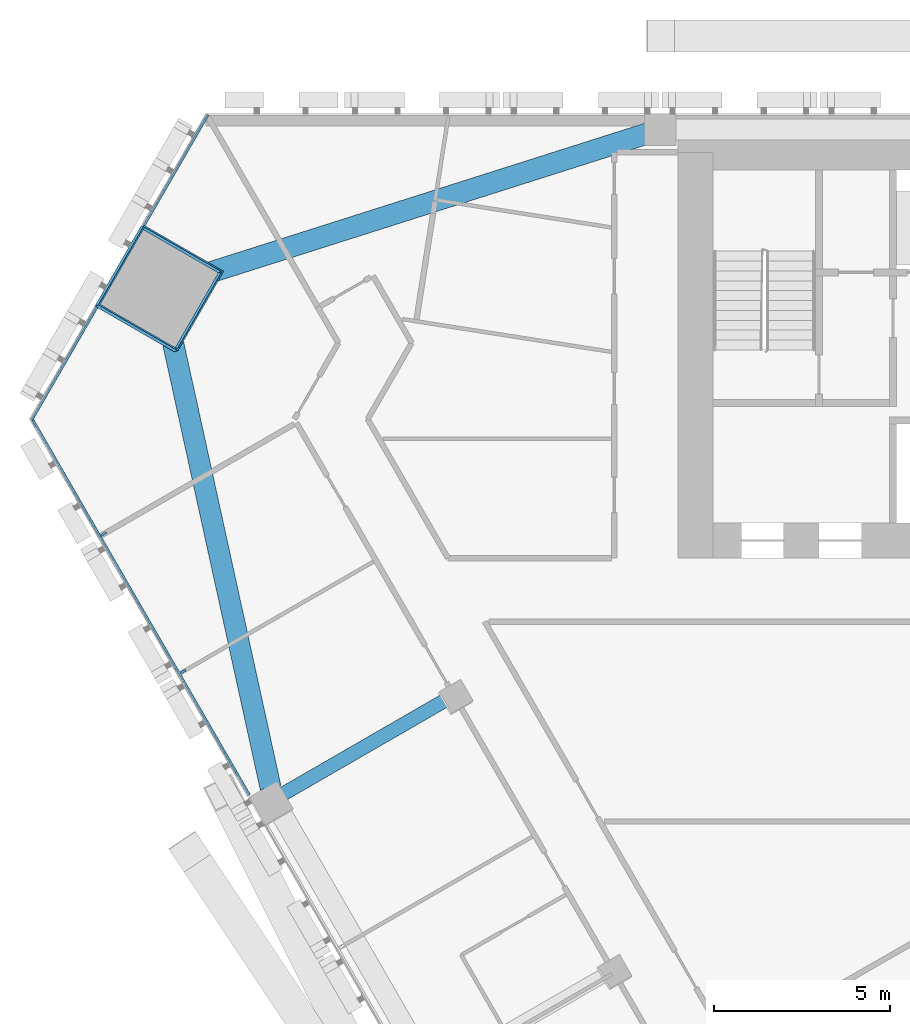
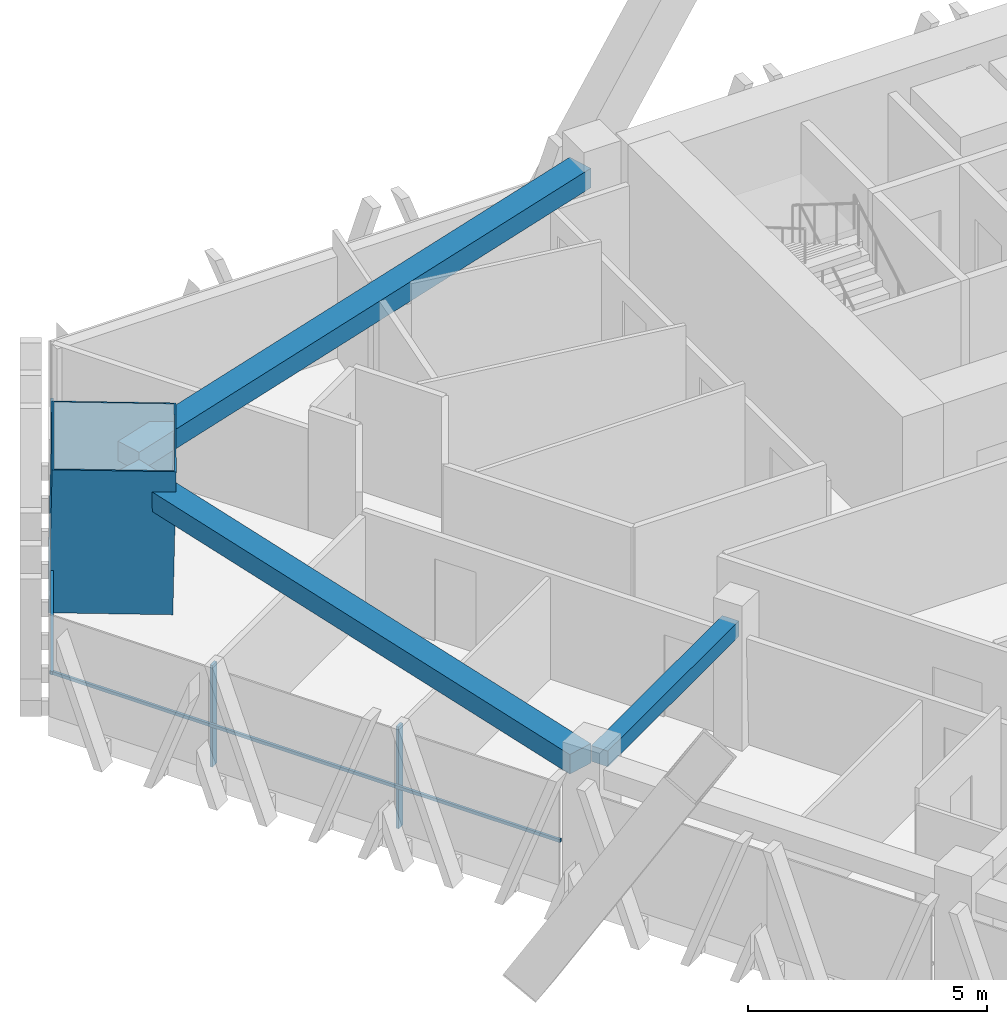
# One storey, part 12 of 24: 6 members, 3 beams, 2 elements without a shape of their own.
"""IFC4 building model written with IfcOpenShell, lengths in metres."""

import ifcopenshell
import ifcopenshell.guid

model = None  # the IFC model being written
_history = None  # IfcOwnerHistory: only IFC2X3 demands one
_inside = {}  # id of a spatial element -> (the spatial element, [elements in it])
_under = {}  # id of a project, library or spatial element -> (it, [spatial elements below it])
_declared = {}  # id of a project -> (the project, [libraries it declares])
_typed = {}  # id of a type object -> (the type object, [elements of that type])
_made_of = {}  # id of a material, layer set ... -> (it, [elements and type objects made of it])


def new_model(schema):
    """Start an empty IFC model of exactly this schema.

    Asked for "IFC4X3", IfcOpenShell would pick the latest addendum, in which some entities
    have other attributes; the version numbers below select the first issue.
    IFC2X3 requires an IfcOwnerHistory on every rooted entity: one is made here for all.
    """
    global model, _history
    if schema == "IFC4X3":
        model = ifcopenshell.file(schema_version=(4, 3, 0, 0))
    else:
        model = ifcopenshell.file(schema=schema)
    _inside.clear()
    _under.clear()
    _declared.clear()
    _typed.clear()
    _made_of.clear()
    _history = None
    if model.schema == "IFC2X3":
        org = make("IfcOrganization", Name="unknown")
        user = make(
            "IfcPersonAndOrganization",
            ThePerson=make("IfcPerson", FamilyName="unknown"),
            TheOrganization=org,
        )
        app = make(
            "IfcApplication",
            ApplicationDeveloper=org,
            Version="unknown",
            ApplicationFullName="unknown",
            ApplicationIdentifier="unknown",
        )
        _history = make(
            "IfcOwnerHistory",
            OwningUser=user,
            OwningApplication=app,
            ChangeAction="ADDED",
            CreationDate=0,
        )
    return model


def make(cls, **values):
    """One entity of the class cls with the attributes given. An attribute that is None is left unset."""
    return model.create_entity(
        cls, **{name: value for name, value in values.items() if value is not None}
    )


def rooted(cls, **values):
    """An entity with a GlobalId (a new one), such as an element, a storey or a relation."""
    return make(cls, GlobalId=ifcopenshell.guid.new(), OwnerHistory=_history, **values)


def si_unit(unit_type, name, prefix=None):
    """IfcSIUnit, for example si_unit("LENGTHUNIT", "METRE", prefix="MILLI")."""
    return make("IfcSIUnit", UnitType=unit_type, Prefix=prefix, Name=name)


def assignment(units):
    """IfcUnitAssignment: the units of a project."""
    return None if units is None else make("IfcUnitAssignment", Units=units)


def point(xyz):
    """IfcCartesianPoint."""
    return None if xyz is None else make("IfcCartesianPoint", Coordinates=xyz)


def direction(xyz):
    """IfcDirection."""
    return None if xyz is None else make("IfcDirection", DirectionRatios=xyz)


def frame(location, z_axis=None, x_axis=None):
    """IfcAxis2Placement3D, a coordinate frame: its origin and axes. An axis left out is left unset."""
    return make(
        "IfcAxis2Placement3D",
        Location=point(location),
        Axis=direction(z_axis),
        RefDirection=direction(x_axis),
    )


def frame_2d(location, x_axis=None):
    """IfcAxis2Placement2D, a coordinate frame in the plane: its origin and x axis."""
    return make(
        "IfcAxis2Placement2D", Location=point(location), RefDirection=direction(x_axis)
    )


def origin():
    """The frame at (0, 0, 0) with its axes left unset."""
    return frame((0.0, 0.0, 0.0))


def origin_2d():
    """The frame at (0, 0) in the plane with its x axis left unset."""
    return frame_2d((0.0, 0.0))


def place(relative_to, where):
    """IfcLocalPlacement: puts the frame where relative to a parent placement (None: the world)."""
    return make(
        "IfcLocalPlacement", PlacementRelTo=relative_to, RelativePlacement=where
    )


def context(
    kind, dimensions, precision=None, world=None, true_north=None, identifier=None
):
    """IfcGeometricRepresentationContext, for example the 3D "Model" context."""
    return make(
        "IfcGeometricRepresentationContext",
        ContextIdentifier=identifier,
        ContextType=kind,
        CoordinateSpaceDimension=dimensions,
        Precision=precision,
        WorldCoordinateSystem=world,
        TrueNorth=true_north,
    )


def subcontext(parent, identifier, kind, view, scale=None):
    """IfcGeometricRepresentationSubContext, for example "Body" below "Model"."""
    return make(
        "IfcGeometricRepresentationSubContext",
        ContextIdentifier=identifier,
        ContextType=kind,
        ParentContext=parent,
        TargetScale=scale,
        TargetView=view,
    )


def project(units=None, contexts=None):
    """IfcProject with its units and contexts."""
    return rooted(
        "IfcProject",
        Name="project",
        RepresentationContexts=contexts,
        UnitsInContext=assignment(units),
    )


def spatial(cls, under=None, at=None, **own):
    """A site, building, storey or space (cls), placed at a placement, below another one or the project."""
    s = rooted(cls, ObjectPlacement=at, **own)
    if under is not None:
        _under.setdefault(under.id(), (under, []))[1].append(s)
    return s


def profile(cls, at=None, kind="AREA", **sizes):
    """A parametric profile (cls). Its sizes go by their IFC names, for example OverallWidth=200.0."""
    return make(cls, ProfileType=kind, Position=at, **sizes)


def rectangle(**sizes):
    """IfcRectangleProfileDef."""
    return profile("IfcRectangleProfileDef", **sizes)


def hollow_rectangle(**sizes):
    """IfcRectangleHollowProfileDef."""
    return profile("IfcRectangleHollowProfileDef", **sizes)


def extrude(swept, where, along, depth):
    """IfcExtrudedAreaSolid: the profile swept, set in the frame where, extruded along a direction by depth."""
    return make(
        "IfcExtrudedAreaSolid",
        SweptArea=swept,
        Position=where,
        ExtrudedDirection=direction(along),
        Depth=depth,
    )


def shape(context_of_items, identifier, shape_type, items):
    """IfcShapeRepresentation: the items that make up one representation, for example the "Body"."""
    return make(
        "IfcShapeRepresentation",
        ContextOfItems=context_of_items,
        RepresentationIdentifier=identifier,
        RepresentationType=shape_type,
        Items=items,
    )


def material(Name=None, Category=None):
    """IfcMaterial."""
    return make("IfcMaterial", Name=Name, Category=Category)


def layer(
    of_material, thickness, ventilated=None, Name=None, Category=None, Priority=None
):
    """IfcMaterialLayer: one layer of a wall or slab, of a material (None: an air gap)."""
    return make(
        "IfcMaterialLayer",
        Material=of_material,
        LayerThickness=thickness,
        IsVentilated=ventilated,
        Name=Name,
        Category=Category,
        Priority=Priority,
    )


def layer_set(layers, Name=None):
    """IfcMaterialLayerSet."""
    return make("IfcMaterialLayerSet", MaterialLayers=layers, LayerSetName=Name)


def material_profile(
    of_material, cross_section, Name=None, Category=None, Priority=None
):
    """IfcMaterialProfile: a cross section and its material."""
    return make(
        "IfcMaterialProfile",
        Name=Name,
        Material=of_material,
        Profile=cross_section,
        Priority=Priority,
        Category=Category,
    )


def profile_set(profiles, Name=None, composite=None):
    """IfcMaterialProfileSet."""
    return make(
        "IfcMaterialProfileSet",
        Name=Name,
        MaterialProfiles=profiles,
        CompositeProfile=composite,
    )


def made_of(thing, what):
    """Note that an element or type object is made of a material, layer set ...; save() writes the relation."""
    if what is not None:
        _made_of.setdefault(what.id(), (what, []))[1].append(thing)
    return thing


def type_object(cls, material=None, **own):
    """A type object (cls), such as IfcWallType, which elements share."""
    return made_of(rooted(cls, **own), material)


def element(
    cls,
    number,
    at=None,
    inside=None,
    cuts=None,
    type_object=None,
    material=None,
    context=None,
    identifier="Body",
    shape_type=None,
    held_by="IfcProductDefinitionShape",
    body=None,
    shapes=None,
    **own,
):
    """One element of the class cls, such as IfcWall. Its Tag is "e" and its number.

    at: its placement. inside: the storey or other place that contains it. cuts: it is an
    opening in that element (IfcRelVoidsElement). A single representation is given by context,
    identifier, shape_type and body (its items); several are given by shapes. held_by: the class
    of the entity that holds the representations. save() writes the other relations.
    """
    e = rooted(cls, Tag="e%d" % number, ObjectPlacement=at, **own)
    if body is not None:
        shapes = [shape(context, identifier, shape_type, body)]
    if shapes is not None:
        e.Representation = make(held_by, Representations=shapes)
    if inside is not None:
        _inside.setdefault(inside.id(), (inside, []))[1].append(e)
    if cuts is not None:
        rooted(
            "IfcRelVoidsElement", RelatingBuildingElement=cuts, RelatedOpeningElement=e
        )
    if type_object is not None:
        _typed.setdefault(type_object.id(), (type_object, []))[1].append(e)
    return made_of(e, material)


def aggregate(whole, parts):
    """IfcRelAggregates: a whole, such as a stair, and the parts it consists of."""
    return rooted("IfcRelAggregates", RelatingObject=whole, RelatedObjects=parts)


def save(model, path):
    """Write the relations noted so far, then the file.

    IfcRelAggregates (storeys below a building ...), IfcRelContainedInSpatialStructure (elements
    in a storey), IfcRelDefinesByType, IfcRelAssociatesMaterial and IfcRelDeclares: one each for
    every whole, place, type object, material and project.
    """
    for whole, parts in _under.values():
        aggregate(whole, parts)
    for where, things in _inside.values():
        rooted(
            "IfcRelContainedInSpatialStructure",
            RelatedElements=things,
            RelatingStructure=where,
        )
    for kind, things in _typed.values():
        rooted("IfcRelDefinesByType", RelatedObjects=things, RelatingType=kind)
    for what, things in _made_of.values():
        rooted("IfcRelAssociatesMaterial", RelatedObjects=things, RelatingMaterial=what)
    for by, libraries in _declared.values():
        rooted("IfcRelDeclares", RelatingContext=by, RelatedDefinitions=libraries)
    model.write(path)


model = new_model("IFC4")

# Units and contexts
model_context = context("Model", 3, precision=1e-05, world=origin(), true_north=direction((0.0, 1.0)))
body_context = subcontext(model_context, "Body", "Model", "MODEL_VIEW")
ifc_project = project(units=[si_unit("LENGTHUNIT", "METRE"), si_unit("AREAUNIT", "SQUARE_METRE"), si_unit("VOLUMEUNIT", "CUBIC_METRE"), si_unit("PLANEANGLEUNIT", "RADIAN"), si_unit("MASSUNIT", "GRAM", prefix="KILO")], contexts=[model_context])

# Site, building, storey
site_placement = place(None, origin())
site = spatial("IfcSite", under=ifc_project, at=site_placement, CompositionType="ELEMENT")
building_placement = place(site_placement, origin())
building = spatial("IfcBuilding", under=site, at=building_placement, Name="Altiplano Prism Tower", CompositionType="ELEMENT")
storey_placement = place(building_placement, frame((0.0, 0.0, 27.0)))
storey = spatial("IfcBuildingStorey", under=building, at=storey_placement, Name="L05", CompositionType="ELEMENT", Elevation=27.0)

# Curtain wall, members
ifc_material_1 = material(Name="Aluminium and glass", Category="aluminium")
ifc_layer = layer(ifc_material_1, 0.280029296875)
ifc_layer_set = layer_set([ifc_layer], Name="Aluminium and glass")
curtain_wall_type = type_object("IfcCurtainWallType", Name="CW1 typical co-living unitised curtain wall", PredefinedType="NOTDEFINED", material=ifc_layer_set)
curtain_wall_1_placement = place(storey_placement, origin())
curtain_wall_1 = element("IfcCurtainWall", 1, at=curtain_wall_1_placement, inside=storey, type_object=curtain_wall_type, Name="CW1 curtain wall south-west face L05", PredefinedType="NOTDEFINED")
ifc_material_2 = material(Name="Aluminium", Category="aluminium")
ifc_material_profile_1 = material_profile(ifc_material_2, rectangle(XDim=0.179931640625, YDim=0.06494140625, at=origin_2d()), Name="CW1 mullion 65 x 180")
ifc_profile_set_1 = profile_set([ifc_material_profile_1], Name="Aluminium")
member_type_1 = type_object("IfcMemberType", Name="CW1 mullion 65 x 180", PredefinedType="MULLION", material=ifc_profile_set_1)
member_1_placement = place(storey_placement, frame((55.72802734375, 93.08056640625, 0.0), z_axis=(0.0, 0.0, 1.0), x_axis=(0.866025403802, 0.49999999997, 0.0)))
member_1 = element("IfcMember", 2, at=member_1_placement, type_object=member_type_1, Name="CW1 mullion", PredefinedType="MULLION", context=body_context, shape_type="SweptSolid", body=[
    extrude(rectangle(XDim=0.179931640625, YDim=0.06494140625, at=origin_2d()), origin(), (0.0, 0.0, 1.0), 2.60009765625),
])
member_2_placement = place(storey_placement, frame((57.97802734375, 89.183349609375, 0.0), z_axis=(0.0, 0.0, 1.0), x_axis=(0.866025403802, 0.49999999997, 0.0)))
member_2 = element("IfcMember", 3, at=member_2_placement, type_object=member_type_1, Name="CW1 mullion", PredefinedType="MULLION", context=body_context, shape_type="SweptSolid", body=[
    extrude(rectangle(XDim=0.179931640625, YDim=0.06494140625, at=origin_2d()), origin(), (0.0, 0.0, 1.0), 2.60009765625),
])

curtain_wall_2_placement = place(storey_placement, origin())
curtain_wall_2 = element("IfcCurtainWall", 4, at=curtain_wall_2_placement, inside=storey, type_object=curtain_wall_type, Name="CW1 curtain wall north-west chamfer L05", PredefinedType="NOTDEFINED")
ifc_material_profile_2 = material_profile(ifc_material_2, rectangle(XDim=0.06005859375, YDim=0.080078125, at=origin_2d()), Name="CW1 transom 80 x 60")
ifc_profile_set_2 = profile_set([ifc_material_profile_2], Name="Aluminium")
member_type_2 = type_object("IfcMemberType", Name="CW1 transom 80 x 60", PredefinedType="USERDEFINED", material=ifc_profile_set_2)
member_3_placement = place(storey_placement, frame((58.6875, 104.965087890625, 1.10009765625), z_axis=(-0.499983199978, -0.866035103064, 0.0), x_axis=(0.866035103064, -0.499983199978, 0.0)))
member_3 = element("IfcMember", 5, at=member_3_placement, type_object=member_type_2, Name="CW1 transom", ObjectType="TRANSOM", PredefinedType="USERDEFINED", context=body_context, shape_type="SweptSolid", body=[
    extrude(rectangle(XDim=0.06005859375, YDim=0.080078125, at=origin_2d()), origin(), (0.0, 0.0, 1.0), 3.6201171875),
])
member_4_placement = place(storey_placement, frame((55.53759765625, 99.509033203125, 1.10009765625), z_axis=(-0.500013743233, -0.86601746898, 0.0), x_axis=(0.86601746898, -0.500013743233, 0.0)))
member_4 = element("IfcMember", 6, at=member_4_placement, type_object=member_type_2, Name="CW1 transom", ObjectType="TRANSOM", PredefinedType="USERDEFINED", context=body_context, shape_type="SweptSolid", body=[
    extrude(rectangle(XDim=0.06005859375, YDim=0.080078125, at=origin_2d()), origin(), (0.0, 0.0, 1.0), 3.7001953125),
])
aggregate(curtain_wall_2, [member_3, member_4])

# Member
member_5_placement = place(storey_placement, frame((53.6875, 96.374755859375, 1.10009765625), z_axis=(0.500002093262, -0.866024195236, 0.0), x_axis=(0.866024195236, 0.500002093262, 0.0)))
member_5 = element("IfcMember", 7, at=member_5_placement, type_object=member_type_2, Name="CW1 transom", ObjectType="TRANSOM", PredefinedType="USERDEFINED", context=body_context, shape_type="SweptSolid", body=[
    extrude(rectangle(XDim=0.06005859375, YDim=0.080078125, at=origin_2d()), origin(), (0.0, 0.0, 1.0), 12.34375),
])

aggregate(curtain_wall_1, [member_1, member_2, member_5])

# Beams
ifc_material_3 = material(Name="Concrete C60/75", Category="concrete")
ifc_material_profile_3 = material_profile(ifc_material_3, rectangle(XDim=0.60009765625, YDim=0.5, at=origin_2d()), Name="Edge beam 600x500")
ifc_profile_set_3 = profile_set([ifc_material_profile_3], Name="Concrete C60/75")
beam_type_1 = type_object("IfcBeamType", Name="Edge beam 600x500", PredefinedType="SPANDREL", material=ifc_profile_set_3)
for number, where, z_axis, x_axis, name in (
    (8, (71.164306640625, 104.443359375, 2.85009765625), (-0.952997460787, -0.302978282611, 0.0), (0.302978282611, -0.952997460787, 0.0), "Edge beam P04-M0 L06"),
    (9, (57.451416015625, 99.613525390625, 2.85009765625), (0.214123649733, -0.976806563566, 0.0), (0.976806563566, 0.214123649733, 0.0), "Edge beam M0-P11 L06"),
):
    element("IfcBeam", number, at=place(storey_placement, frame(where, z_axis=z_axis, x_axis=x_axis)), inside=storey, type_object=beam_type_1, Name=name, PredefinedType="SPANDREL", context=body_context, shape_type="SweptSolid", body=[
        extrude(rectangle(XDim=0.60009765625, YDim=0.5, at=origin_2d()), origin(), (0.0, 0.0, 1.0), 14.040283203125),
    ])

# Member
ifc_material_4 = material(Name="Steel S460", Category="steel")
ifc_material_profile_4 = material_profile(ifc_material_4, hollow_rectangle(XDim=2.60009765625, YDim=2.60009765625, WallThickness=0.0400390625, at=origin_2d()), Name="Mega column tube 2600")
ifc_profile_set_4 = profile_set([ifc_material_profile_4], Name="Steel S460")
member_type_3 = type_object("IfcMemberType", Name="Mega column tube 2600", PredefinedType="POST", material=ifc_profile_set_4)
member_6_placement = place(storey_placement, frame((57.252685546875, 100.019775390625, 0.0), z_axis=(0.028401796786, 0.009286506348, 0.999553449666), x_axis=(-0.866201915964, 0.499294786535, 0.019973905943)))
element("IfcMember", 10, at=member_6_placement, inside=storey, type_object=member_type_3, Name="Mega column tube M0 L05", PredefinedType="POST", context=body_context, shape_type="SweptSolid", body=[
    extrude(hollow_rectangle(XDim=2.60009765625, YDim=2.60009765625, WallThickness=0.0400390625, at=origin_2d()), origin(), (0.0, 0.0, 1.0), 3.601806640625),
])

# Beam
ifc_material_profile_5 = material_profile(ifc_material_3, rectangle(XDim=0.39990234375, YDim=0.39990234375, at=origin_2d()), Name="Tie beam 400x400")
ifc_profile_set_5 = profile_set([ifc_material_profile_5], Name="Concrete C60/75")
beam_type_2 = type_object("IfcBeamType", Name="Tie beam 400x400", PredefinedType="BEAM", material=ifc_profile_set_5)
beam_placement = place(storey_placement, frame((65.573486328125, 88.46484375, 2.89990234375), z_axis=(-0.866042665983, -0.499970099802, 0.0), x_axis=(0.499970099802, -0.866042665983, 0.0)))
element("IfcBeam", 11, at=beam_placement, inside=storey, type_object=beam_type_2, Name="Tie beam I11 L06", PredefinedType="BEAM", context=body_context, shape_type="SweptSolid", body=[
    extrude(rectangle(XDim=0.39990234375, YDim=0.39990234375, at=origin_2d()), origin(), (0.0, 0.0, 1.0), 5.489990234375),
])

save(model, "model.ifc")
